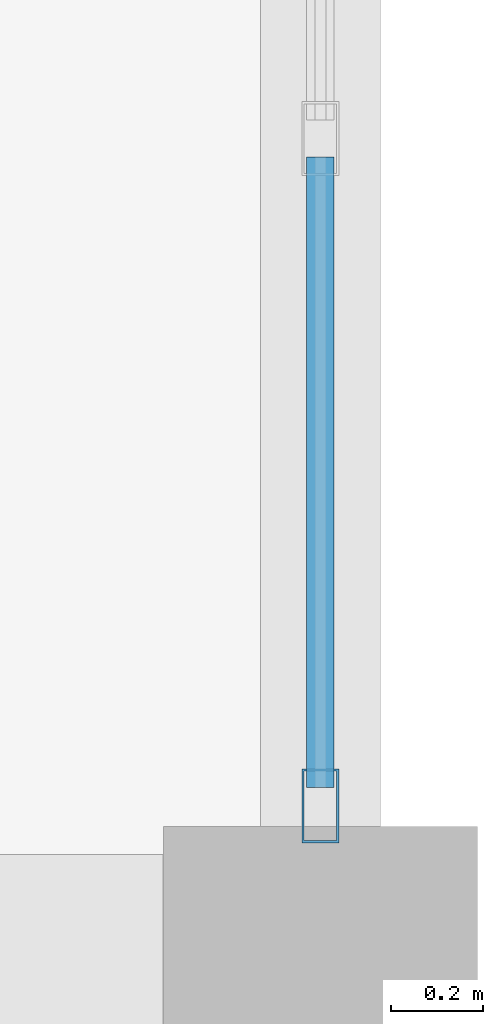
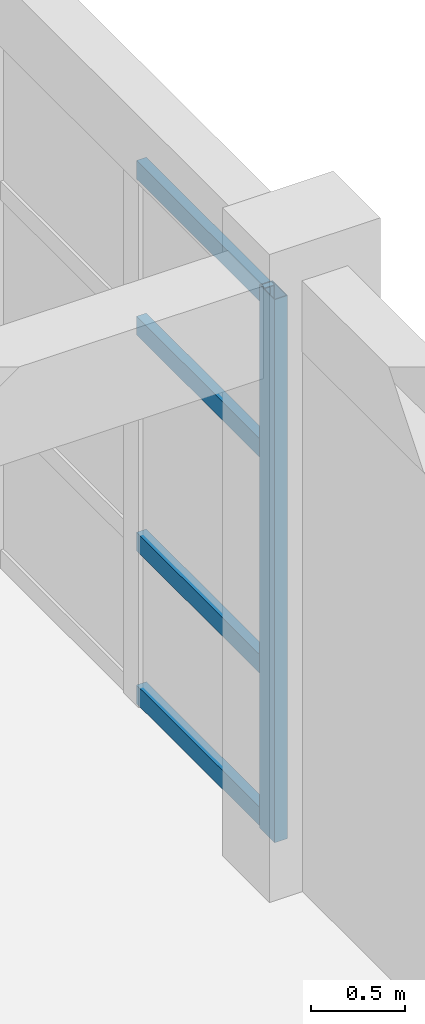
# One storey, part 72 of 121: 5 members, 1 element without a shape of its own.
"""IFC4 building model written with IfcOpenShell, lengths in metres."""

from ifc_helpers import new_model, si_unit, direction, frame, origin, origin_2d, place, context, subcontext, project, spatial, hollow_rectangle, extrude, material, material_profile, profile_set, type_object, element, aggregate, save


model = new_model("IFC4")

# Units and contexts
model_context = context("Model", 3, precision=1e-05, world=origin(), true_north=direction((0.0, 1.0)))
body_context = subcontext(model_context, "Body", "Model", "MODEL_VIEW")
ifc_project = project(units=[si_unit("LENGTHUNIT", "METRE"), si_unit("AREAUNIT", "SQUARE_METRE"), si_unit("VOLUMEUNIT", "CUBIC_METRE"), si_unit("PLANEANGLEUNIT", "RADIAN"), si_unit("MASSUNIT", "GRAM", prefix="KILO")], contexts=[model_context])

# Site, building, storey
site_placement = place(None, origin())
site = spatial("IfcSite", under=ifc_project, at=site_placement, CompositionType="ELEMENT")
building_placement = place(site_placement, origin())
building = spatial("IfcBuilding", under=site, at=building_placement, Name="Kharva Crest Polytechnic", CompositionType="ELEMENT")
storey_placement = place(building_placement, frame((0.0, 0.0, 13.199951171875)))
storey = spatial("IfcBuildingStorey", under=building, at=storey_placement, Name="L03", CompositionType="ELEMENT", Elevation=13.199951171875)

# Curtain wall, members
ifc_material_1 = material(Name="Tempered insulated glass", Category="glass")
curtain_wall_type = type_object("IfcCurtainWallType", Name="CW-SYS-COURT", PredefinedType="USERDEFINED", material=ifc_material_1)
curtain_wall_placement = place(storey_placement, origin())
curtain_wall = element("IfcCurtainWall", 1, at=curtain_wall_placement, inside=storey, type_object=curtain_wall_type, Name="L03 Glazed Curtain Wall CW-149", ObjectType="CURTAIN WALL", PredefinedType="USERDEFINED")
ifc_material_2 = material(Name="Steel S355", Category="steel")
ifc_material_profile_1 = material_profile(ifc_material_2, hollow_rectangle(XDim=0.080078125, YDim=0.159912109375, WallThickness=0.0048828125, at=origin_2d()), Name="RHS 160X80X5.0")
ifc_profile_set_1 = profile_set([ifc_material_profile_1], Name="Steel S355")
member_type_1 = type_object("IfcMemberType", Name="CWM-RHS160X80", PredefinedType="MULLION", material=ifc_profile_set_1)
member_1_placement = place(storey_placement, frame((184.0, 47.094970703125, 0.0), z_axis=(0.0, 0.0, 1.0), x_axis=(-1.0, 0.0, 0.0)))
member_1 = element("IfcMember", 2, at=member_1_placement, type_object=member_type_1, Name="CW-149 mullion 1", PredefinedType="MULLION", context=body_context, shape_type="SweptSolid", body=[
    extrude(hollow_rectangle(XDim=0.080078125, YDim=0.159912109375, WallThickness=0.0048828125, at=origin_2d()), origin(), (0.0, 0.0, 1.0), 3.52001953125),
])
ifc_material_profile_2 = material_profile(ifc_material_2, hollow_rectangle(XDim=0.06005859375, YDim=0.1201171875, WallThickness=0.00390625, at=origin_2d()), Name="RHS 120X60X4.0")
ifc_profile_set_2 = profile_set([ifc_material_profile_2], Name="Steel S355")
member_type_2 = type_object("IfcMemberType", Name="CWT-RHS120X60", PredefinedType="USERDEFINED", material=ifc_profile_set_2)
member_2_placement = place(storey_placement, frame((184.0, 47.135009765625, 0.06005859375), z_axis=(0.0, 1.0, 0.0), x_axis=(-1.0, 0.0, 0.0)))
member_2 = element("IfcMember", 3, at=member_2_placement, type_object=member_type_2, Name="CW-149 transom 1.1", ObjectType="TRANSOM", PredefinedType="USERDEFINED", context=body_context, shape_type="SweptSolid", body=[
    extrude(hollow_rectangle(XDim=0.06005859375, YDim=0.1201171875, WallThickness=0.00390625, at=origin_2d()), origin(), (0.0, 0.0, 1.0), 1.364013671875),
])
member_3_placement = place(storey_placement, frame((184.0, 47.135009765625, 1.050048828125), z_axis=(0.0, 1.0, 0.0), x_axis=(-1.0, 0.0, 0.0)))
member_3 = element("IfcMember", 4, at=member_3_placement, type_object=member_type_2, Name="CW-149 transom 1.2", ObjectType="TRANSOM", PredefinedType="USERDEFINED", context=body_context, shape_type="SweptSolid", body=[
    extrude(hollow_rectangle(XDim=0.06005859375, YDim=0.1201171875, WallThickness=0.00390625, at=origin_2d()), origin(), (0.0, 0.0, 1.0), 1.364013671875),
])
member_4_placement = place(storey_placement, frame((184.0, 47.135009765625, 2.449951171875), z_axis=(0.0, 1.0, 0.0), x_axis=(-1.0, 0.0, 0.0)))
member_4 = element("IfcMember", 5, at=member_4_placement, type_object=member_type_2, Name="CW-149 transom 1.3", ObjectType="TRANSOM", PredefinedType="USERDEFINED", context=body_context, shape_type="SweptSolid", body=[
    extrude(hollow_rectangle(XDim=0.06005859375, YDim=0.1201171875, WallThickness=0.00390625, at=origin_2d()), origin(), (0.0, 0.0, 1.0), 1.364013671875),
])
member_5_placement = place(storey_placement, frame((184.0, 47.135009765625, 3.4599609375), z_axis=(0.0, 1.0, 0.0), x_axis=(-1.0, 0.0, 0.0)))
member_5 = element("IfcMember", 6, at=member_5_placement, type_object=member_type_2, Name="CW-149 transom 1.4", ObjectType="TRANSOM", PredefinedType="USERDEFINED", context=body_context, shape_type="SweptSolid", body=[
    extrude(hollow_rectangle(XDim=0.06005859375, YDim=0.1201171875, WallThickness=0.00390625, at=origin_2d()), origin(), (0.0, 0.0, 1.0), 1.364013671875),
])
aggregate(curtain_wall, [member_1, member_2, member_3, member_4, member_5])

save(model, "model.ifc")
